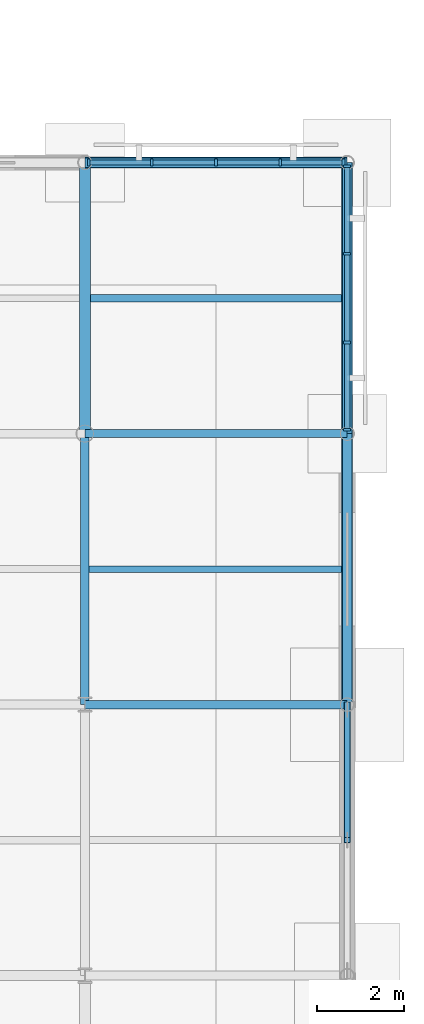
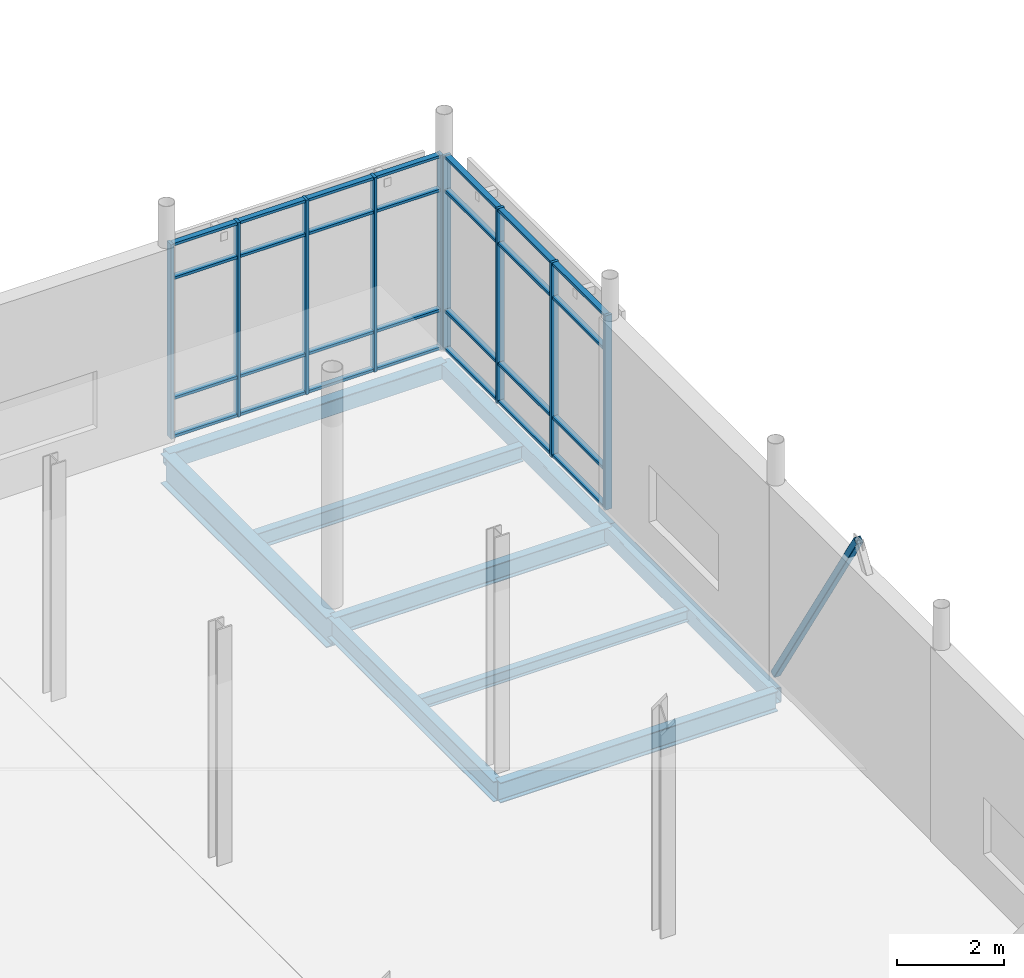
# One storey, part 56 of 98: 38 members, 9 beams, 2 elements without a shape of their own.
"""IFC4 building model written with IfcOpenShell, lengths in metres."""

import ifcopenshell
import ifcopenshell.guid

model = None  # the IFC model being written
_history = None  # IfcOwnerHistory: only IFC2X3 demands one
_inside = {}  # id of a spatial element -> (the spatial element, [elements in it])
_under = {}  # id of a project, library or spatial element -> (it, [spatial elements below it])
_declared = {}  # id of a project -> (the project, [libraries it declares])
_typed = {}  # id of a type object -> (the type object, [elements of that type])
_made_of = {}  # id of a material, layer set ... -> (it, [elements and type objects made of it])


def new_model(schema):
    """Start an empty IFC model of exactly this schema.

    Asked for "IFC4X3", IfcOpenShell would pick the latest addendum, in which some entities
    have other attributes; the version numbers below select the first issue.
    IFC2X3 requires an IfcOwnerHistory on every rooted entity: one is made here for all.
    """
    global model, _history
    if schema == "IFC4X3":
        model = ifcopenshell.file(schema_version=(4, 3, 0, 0))
    else:
        model = ifcopenshell.file(schema=schema)
    _inside.clear()
    _under.clear()
    _declared.clear()
    _typed.clear()
    _made_of.clear()
    _history = None
    if model.schema == "IFC2X3":
        org = make("IfcOrganization", Name="unknown")
        user = make(
            "IfcPersonAndOrganization",
            ThePerson=make("IfcPerson", FamilyName="unknown"),
            TheOrganization=org,
        )
        app = make(
            "IfcApplication",
            ApplicationDeveloper=org,
            Version="unknown",
            ApplicationFullName="unknown",
            ApplicationIdentifier="unknown",
        )
        _history = make(
            "IfcOwnerHistory",
            OwningUser=user,
            OwningApplication=app,
            ChangeAction="ADDED",
            CreationDate=0,
        )
    return model


def make(cls, **values):
    """One entity of the class cls with the attributes given. An attribute that is None is left unset."""
    return model.create_entity(
        cls, **{name: value for name, value in values.items() if value is not None}
    )


def rooted(cls, **values):
    """An entity with a GlobalId (a new one), such as an element, a storey or a relation."""
    return make(cls, GlobalId=ifcopenshell.guid.new(), OwnerHistory=_history, **values)


def si_unit(unit_type, name, prefix=None):
    """IfcSIUnit, for example si_unit("LENGTHUNIT", "METRE", prefix="MILLI")."""
    return make("IfcSIUnit", UnitType=unit_type, Prefix=prefix, Name=name)


def assignment(units):
    """IfcUnitAssignment: the units of a project."""
    return None if units is None else make("IfcUnitAssignment", Units=units)


def point(xyz):
    """IfcCartesianPoint."""
    return None if xyz is None else make("IfcCartesianPoint", Coordinates=xyz)


def direction(xyz):
    """IfcDirection."""
    return None if xyz is None else make("IfcDirection", DirectionRatios=xyz)


def frame(location, z_axis=None, x_axis=None):
    """IfcAxis2Placement3D, a coordinate frame: its origin and axes. An axis left out is left unset."""
    return make(
        "IfcAxis2Placement3D",
        Location=point(location),
        Axis=direction(z_axis),
        RefDirection=direction(x_axis),
    )


def frame_2d(location, x_axis=None):
    """IfcAxis2Placement2D, a coordinate frame in the plane: its origin and x axis."""
    return make(
        "IfcAxis2Placement2D", Location=point(location), RefDirection=direction(x_axis)
    )


def origin():
    """The frame at (0, 0, 0) with its axes left unset."""
    return frame((0.0, 0.0, 0.0))


def origin_2d():
    """The frame at (0, 0) in the plane with its x axis left unset."""
    return frame_2d((0.0, 0.0))


def place(relative_to, where):
    """IfcLocalPlacement: puts the frame where relative to a parent placement (None: the world)."""
    return make(
        "IfcLocalPlacement", PlacementRelTo=relative_to, RelativePlacement=where
    )


def context(
    kind, dimensions, precision=None, world=None, true_north=None, identifier=None
):
    """IfcGeometricRepresentationContext, for example the 3D "Model" context."""
    return make(
        "IfcGeometricRepresentationContext",
        ContextIdentifier=identifier,
        ContextType=kind,
        CoordinateSpaceDimension=dimensions,
        Precision=precision,
        WorldCoordinateSystem=world,
        TrueNorth=true_north,
    )


def subcontext(parent, identifier, kind, view, scale=None):
    """IfcGeometricRepresentationSubContext, for example "Body" below "Model"."""
    return make(
        "IfcGeometricRepresentationSubContext",
        ContextIdentifier=identifier,
        ContextType=kind,
        ParentContext=parent,
        TargetScale=scale,
        TargetView=view,
    )


def project(units=None, contexts=None):
    """IfcProject with its units and contexts."""
    return rooted(
        "IfcProject",
        Name="project",
        RepresentationContexts=contexts,
        UnitsInContext=assignment(units),
    )


def spatial(cls, under=None, at=None, **own):
    """A site, building, storey or space (cls), placed at a placement, below another one or the project."""
    s = rooted(cls, ObjectPlacement=at, **own)
    if under is not None:
        _under.setdefault(under.id(), (under, []))[1].append(s)
    return s


def profile(cls, at=None, kind="AREA", **sizes):
    """A parametric profile (cls). Its sizes go by their IFC names, for example OverallWidth=200.0."""
    return make(cls, ProfileType=kind, Position=at, **sizes)


def rectangle(**sizes):
    """IfcRectangleProfileDef."""
    return profile("IfcRectangleProfileDef", **sizes)


def hollow_rectangle(**sizes):
    """IfcRectangleHollowProfileDef."""
    return profile("IfcRectangleHollowProfileDef", **sizes)


def i_section(**sizes):
    """IfcIShapeProfileDef."""
    return profile("IfcIShapeProfileDef", **sizes)


def extrude(swept, where, along, depth):
    """IfcExtrudedAreaSolid: the profile swept, set in the frame where, extruded along a direction by depth."""
    return make(
        "IfcExtrudedAreaSolid",
        SweptArea=swept,
        Position=where,
        ExtrudedDirection=direction(along),
        Depth=depth,
    )


def shape(context_of_items, identifier, shape_type, items):
    """IfcShapeRepresentation: the items that make up one representation, for example the "Body"."""
    return make(
        "IfcShapeRepresentation",
        ContextOfItems=context_of_items,
        RepresentationIdentifier=identifier,
        RepresentationType=shape_type,
        Items=items,
    )


def material(Name=None, Category=None):
    """IfcMaterial."""
    return make("IfcMaterial", Name=Name, Category=Category)


def layer(
    of_material, thickness, ventilated=None, Name=None, Category=None, Priority=None
):
    """IfcMaterialLayer: one layer of a wall or slab, of a material (None: an air gap)."""
    return make(
        "IfcMaterialLayer",
        Material=of_material,
        LayerThickness=thickness,
        IsVentilated=ventilated,
        Name=Name,
        Category=Category,
        Priority=Priority,
    )


def layer_set(layers, Name=None):
    """IfcMaterialLayerSet."""
    return make("IfcMaterialLayerSet", MaterialLayers=layers, LayerSetName=Name)


def material_profile(
    of_material, cross_section, Name=None, Category=None, Priority=None
):
    """IfcMaterialProfile: a cross section and its material."""
    return make(
        "IfcMaterialProfile",
        Name=Name,
        Material=of_material,
        Profile=cross_section,
        Priority=Priority,
        Category=Category,
    )


def profile_set(profiles, Name=None, composite=None):
    """IfcMaterialProfileSet."""
    return make(
        "IfcMaterialProfileSet",
        Name=Name,
        MaterialProfiles=profiles,
        CompositeProfile=composite,
    )


def made_of(thing, what):
    """Note that an element or type object is made of a material, layer set ...; save() writes the relation."""
    if what is not None:
        _made_of.setdefault(what.id(), (what, []))[1].append(thing)
    return thing


def type_object(cls, material=None, **own):
    """A type object (cls), such as IfcWallType, which elements share."""
    return made_of(rooted(cls, **own), material)


def element(
    cls,
    number,
    at=None,
    inside=None,
    cuts=None,
    type_object=None,
    material=None,
    context=None,
    identifier="Body",
    shape_type=None,
    held_by="IfcProductDefinitionShape",
    body=None,
    shapes=None,
    **own,
):
    """One element of the class cls, such as IfcWall. Its Tag is "e" and its number.

    at: its placement. inside: the storey or other place that contains it. cuts: it is an
    opening in that element (IfcRelVoidsElement). A single representation is given by context,
    identifier, shape_type and body (its items); several are given by shapes. held_by: the class
    of the entity that holds the representations. save() writes the other relations.
    """
    e = rooted(cls, Tag="e%d" % number, ObjectPlacement=at, **own)
    if body is not None:
        shapes = [shape(context, identifier, shape_type, body)]
    if shapes is not None:
        e.Representation = make(held_by, Representations=shapes)
    if inside is not None:
        _inside.setdefault(inside.id(), (inside, []))[1].append(e)
    if cuts is not None:
        rooted(
            "IfcRelVoidsElement", RelatingBuildingElement=cuts, RelatedOpeningElement=e
        )
    if type_object is not None:
        _typed.setdefault(type_object.id(), (type_object, []))[1].append(e)
    return made_of(e, material)


def aggregate(whole, parts):
    """IfcRelAggregates: a whole, such as a stair, and the parts it consists of."""
    return rooted("IfcRelAggregates", RelatingObject=whole, RelatedObjects=parts)


def save(model, path):
    """Write the relations noted so far, then the file.

    IfcRelAggregates (storeys below a building ...), IfcRelContainedInSpatialStructure (elements
    in a storey), IfcRelDefinesByType, IfcRelAssociatesMaterial and IfcRelDeclares: one each for
    every whole, place, type object, material and project.
    """
    for whole, parts in _under.values():
        aggregate(whole, parts)
    for where, things in _inside.values():
        rooted(
            "IfcRelContainedInSpatialStructure",
            RelatedElements=things,
            RelatingStructure=where,
        )
    for kind, things in _typed.values():
        rooted("IfcRelDefinesByType", RelatedObjects=things, RelatingType=kind)
    for what, things in _made_of.values():
        rooted("IfcRelAssociatesMaterial", RelatedObjects=things, RelatingMaterial=what)
    for by, libraries in _declared.values():
        rooted("IfcRelDeclares", RelatingContext=by, RelatedDefinitions=libraries)
    model.write(path)


model = new_model("IFC4")

# Units and contexts
model_context = context("Model", 3, precision=1e-05, world=origin(), true_north=direction((0.0, 1.0)))
body_context = subcontext(model_context, "Body", "Model", "MODEL_VIEW")
ifc_project = project(units=[si_unit("LENGTHUNIT", "METRE"), si_unit("AREAUNIT", "SQUARE_METRE"), si_unit("VOLUMEUNIT", "CUBIC_METRE"), si_unit("PLANEANGLEUNIT", "RADIAN"), si_unit("MASSUNIT", "GRAM", prefix="KILO")], contexts=[model_context])

# Site, building, storey
site_placement = place(None, origin())
site = spatial("IfcSite", under=ifc_project, at=site_placement, CompositionType="ELEMENT")
building_placement = place(site_placement, origin())
building = spatial("IfcBuilding", under=site, at=building_placement, Name="Mirzam Square Science Centre", CompositionType="ELEMENT")
storey_placement = place(building_placement, origin())
storey = spatial("IfcBuildingStorey", under=building, at=storey_placement, Name="L00", CompositionType="ELEMENT", Elevation=0.0)

# Beams
ifc_material_1 = material(Name="Steel S355", Category="steel")
ifc_material_profile_1 = material_profile(ifc_material_1, i_section(OverallWidth=0.1787109375, OverallDepth=0.409423828125, WebThickness=0.0087890625, FlangeThickness=0.014404296875, FilletRadius=0.01025390625, at=origin_2d()), Name="406x178x67UB")
ifc_profile_set_1 = profile_set([ifc_material_profile_1], Name="Steel S355")
beam_type_1 = type_object("IfcBeamType", Name="BM-UB406", PredefinedType="BEAM", material=ifc_profile_set_1)
beam_1_placement = place(storey_placement, frame((156.0, 80.60009765625, -0.504638671875), z_axis=(1.0, 0.0, 0.0), x_axis=(0.0, 1.0, 0.0)))
element("IfcBeam", 1, at=beam_1_placement, inside=storey, type_object=beam_type_1, Name="L00 girder X27-14", PredefinedType="BEAM", context=body_context, shape_type="SweptSolid", body=[
    extrude(i_section(OverallWidth=0.1787109375, OverallDepth=0.409423828125, WebThickness=0.0087890625, FlangeThickness=0.014404296875, FilletRadius=0.01025390625, at=origin_2d()), origin(), (0.0, 0.0, 1.0), 6.0),
])
ifc_material_profile_2 = material_profile(ifc_material_1, i_section(OverallWidth=0.19140625, OverallDepth=0.4599609375, WebThickness=0.010009765625, FlangeThickness=0.01611328125, FilletRadius=0.01025390625, at=origin_2d()), Name="457x191x82UB")
ifc_profile_set_2 = profile_set([ifc_material_profile_2], Name="Steel S355")
beam_type_2 = type_object("IfcBeamType", Name="BM-UB457", PredefinedType="BEAM", material=ifc_profile_set_2)
beam_2_placement = place(storey_placement, frame((156.0, 74.39990234375, -0.530029296875), z_axis=(1.0, 0.0, 0.0), x_axis=(0.0, 1.0, 0.0)))
element("IfcBeam", 2, at=beam_2_placement, inside=storey, type_object=beam_type_2, Name="L00 girder X27-13", PredefinedType="BEAM", context=body_context, shape_type="SweptSolid", body=[
    extrude(i_section(OverallWidth=0.19140625, OverallDepth=0.4599609375, WebThickness=0.010009765625, FlangeThickness=0.01611328125, FilletRadius=0.01025390625, at=origin_2d()), origin(), (0.0, 0.0, 1.0), 6.0),
])
beam_3_placement = place(storey_placement, frame((156.0, 74.39990234375, -0.530029296875), z_axis=(0.0, 1.0, 0.0), x_axis=(-1.0, 0.0, 0.0)))
element("IfcBeam", 3, at=beam_3_placement, inside=storey, type_object=beam_type_2, Name="L00 girder Y27-13", PredefinedType="BEAM", context=body_context, shape_type="SweptSolid", body=[
    extrude(i_section(OverallWidth=0.19140625, OverallDepth=0.4599609375, WebThickness=0.010009765625, FlangeThickness=0.01611328125, FilletRadius=0.01025390625, at=origin_2d()), origin(), (0.0, 0.0, 1.0), 6.2001953125),
])
ifc_material_profile_3 = material_profile(ifc_material_1, i_section(OverallWidth=0.25439453125, OverallDepth=0.6875, WebThickness=0.01318359375, FlangeThickness=0.02099609375, FilletRadius=0.01513671875, at=origin_2d()), Name="686x254x152UB")
ifc_profile_set_3 = profile_set([ifc_material_profile_3], Name="Steel S355")
beam_type_3 = type_object("IfcBeamType", Name="BM-UB686", PredefinedType="BEAM", material=ifc_profile_set_3)
beam_4_placement = place(storey_placement, frame((156.0, 80.60009765625, -0.643798828125), z_axis=(0.0, 1.0, 0.0), x_axis=(-1.0, 0.0, 0.0)))
element("IfcBeam", 4, at=beam_4_placement, inside=storey, type_object=beam_type_3, Name="L00 girder Y27-14", PredefinedType="BEAM", context=body_context, shape_type="SweptSolid", body=[
    extrude(i_section(OverallWidth=0.25439453125, OverallDepth=0.6875, WebThickness=0.01318359375, FlangeThickness=0.02099609375, FilletRadius=0.01513671875, at=origin_2d()), origin(), (0.0, 0.0, 1.0), 6.199951171875),
])

# Member
ifc_material_profile_4 = material_profile(ifc_material_1, hollow_rectangle(XDim=0.14990234375, YDim=0.14990234375, WallThickness=0.008056640625, InnerFilletRadius=0.008056640625, OuterFilletRadius=0.01611328125, at=origin_2d()), Name="150x150x8.0SHS")
ifc_profile_set_4 = profile_set([ifc_material_profile_4], Name="Steel S355")
member_type_1 = type_object("IfcMemberType", Name="BR-SHS150", PredefinedType="BRACE", material=ifc_profile_set_4)
member_1_placement = place(storey_placement, frame((162.0, 74.39990234375, 0.050048828125), z_axis=(0.0, -0.532677513074, 0.846318301271), x_axis=(1.0, 0.0, 0.0)))
element("IfcMember", 5, at=member_1_placement, inside=storey, type_object=member_type_1, Name="L00 chevron brace 5B", PredefinedType="BRACE", context=body_context, shape_type="SweptSolid", body=[
    extrude(hollow_rectangle(XDim=0.14990234375, YDim=0.14990234375, WallThickness=0.008056640625, InnerFilletRadius=0.008056640625, OuterFilletRadius=0.01611328125, at=origin_2d()), origin(), (0.0, 0.0, 1.0), 5.8193359375),
])

# Curtain wall, members
ifc_material_2 = material(Name="Anodised Aluminium and Low-E Solar Glass", Category="aluminium")
ifc_layer_1 = layer(ifc_material_2, 0.199951171875)
ifc_layer_set_1 = layer_set([ifc_layer_1], Name="CW-PARK-B")
curtain_wall_type_1 = type_object("IfcCurtainWallType", Name="CW-PARK-B", PredefinedType="USERDEFINED", material=ifc_layer_set_1)
curtain_wall_1_placement = place(storey_placement, origin())
curtain_wall_1 = element("IfcCurtainWall", 6, at=curtain_wall_1_placement, inside=storey, type_object=curtain_wall_type_1, Name="L00 unitised curtain wall 68", ObjectType="UNITISED CURTAIN WALL", PredefinedType="USERDEFINED")
ifc_material_3 = material(Name="Anodised Architectural Aluminium 6063-T6", Category="aluminium")
ifc_material_profile_5 = material_profile(ifc_material_3, rectangle(XDim=0.06005859375, YDim=0.159912109375, at=origin_2d()), Name="ALU-MULL-160x60x4")
ifc_profile_set_5 = profile_set([ifc_material_profile_5], Name="Anodised Architectural Aluminium 6063-T6")
member_type_2 = type_object("IfcMemberType", Name="CWM-160", PredefinedType="MULLION", material=ifc_profile_set_5)
member_2_placement = place(storey_placement, frame((162.0, 80.68505859375, 0.0), z_axis=(0.0, 0.0, 1.0), x_axis=(0.0, 1.0, 0.0)))
member_2 = element("IfcMember", 7, at=member_2_placement, type_object=member_type_2, Name="CW-02 mullion 1", PredefinedType="MULLION", context=body_context, shape_type="SweptSolid", body=[
    extrude(rectangle(XDim=0.06005859375, YDim=0.159912109375, at=origin_2d()), origin(), (0.0, 0.0, 1.0), 4.43994140625),
])
member_3_placement = place(storey_placement, frame((162.0, 82.68505859375, 0.0), z_axis=(0.0, 0.0, 1.0), x_axis=(0.0, 1.0, 0.0)))
member_3 = element("IfcMember", 8, at=member_3_placement, type_object=member_type_2, Name="CW-02 mullion 2", PredefinedType="MULLION", context=body_context, shape_type="SweptSolid", body=[
    extrude(rectangle(XDim=0.06005859375, YDim=0.159912109375, at=origin_2d()), origin(), (0.0, 0.0, 1.0), 4.43994140625),
])
member_4_placement = place(storey_placement, frame((162.0, 84.715087890625, 0.0), z_axis=(0.0, 0.0, 1.0), x_axis=(0.0, 1.0, 0.0)))
member_4 = element("IfcMember", 9, at=member_4_placement, type_object=member_type_2, Name="CW-02 mullion 3", PredefinedType="MULLION", context=body_context, shape_type="SweptSolid", body=[
    extrude(rectangle(XDim=0.06005859375, YDim=0.159912109375, at=origin_2d()), origin(), (0.0, 0.0, 1.0), 4.43994140625),
])
member_5_placement = place(storey_placement, frame((162.0, 86.715087890625, 0.0), z_axis=(0.0, 0.0, 1.0), x_axis=(0.0, 1.0, 0.0)))
member_5 = element("IfcMember", 10, at=member_5_placement, type_object=member_type_2, Name="CW-02 mullion 4", PredefinedType="MULLION", context=body_context, shape_type="SweptSolid", body=[
    extrude(rectangle(XDim=0.06005859375, YDim=0.159912109375, at=origin_2d()), origin(), (0.0, 0.0, 1.0), 4.43994140625),
])

ifc_layer_2 = layer(ifc_material_2, 0.159912109375)
ifc_layer_set_2 = layer_set([ifc_layer_2], Name="CW-COURT-B")
curtain_wall_type_2 = type_object("IfcCurtainWallType", Name="CW-COURT-B", PredefinedType="USERDEFINED", material=ifc_layer_set_2)
curtain_wall_2_placement = place(storey_placement, origin())
curtain_wall_2 = element("IfcCurtainWall", 11, at=curtain_wall_2_placement, inside=storey, type_object=curtain_wall_type_2, Name="L00 unitised curtain wall 69", ObjectType="UNITISED CURTAIN WALL", PredefinedType="USERDEFINED")
member_6_placement = place(storey_placement, frame((161.9150390625, 86.800048828125, 0.0), z_axis=(0.0, 0.0, 1.0), x_axis=(-1.0, 0.0, 0.0)))
member_6 = element("IfcMember", 12, at=member_6_placement, type_object=member_type_2, Name="CW-04 mullion 1", PredefinedType="MULLION", context=body_context, shape_type="SweptSolid", body=[
    extrude(rectangle(XDim=0.06005859375, YDim=0.159912109375, at=origin_2d()), origin(), (0.0, 0.0, 1.0), 4.43994140625),
])
member_7_placement = place(storey_placement, frame((160.472412109375, 86.800048828125, 0.0), z_axis=(0.0, 0.0, 1.0), x_axis=(-1.0, 0.0, 0.0)))
member_7 = element("IfcMember", 13, at=member_7_placement, type_object=member_type_2, Name="CW-04 mullion 2", PredefinedType="MULLION", context=body_context, shape_type="SweptSolid", body=[
    extrude(rectangle(XDim=0.06005859375, YDim=0.159912109375, at=origin_2d()), origin(), (0.0, 0.0, 1.0), 4.43994140625),
])
member_8_placement = place(storey_placement, frame((159.0, 86.800048828125, 0.0), z_axis=(0.0, 0.0, 1.0), x_axis=(-1.0, 0.0, 0.0)))
member_8 = element("IfcMember", 14, at=member_8_placement, type_object=member_type_2, Name="CW-04 mullion 3", PredefinedType="MULLION", context=body_context, shape_type="SweptSolid", body=[
    extrude(rectangle(XDim=0.06005859375, YDim=0.159912109375, at=origin_2d()), origin(), (0.0, 0.0, 1.0), 4.43994140625),
])
member_9_placement = place(storey_placement, frame((157.527587890625, 86.800048828125, 0.0), z_axis=(0.0, 0.0, 1.0), x_axis=(-1.0, 0.0, 0.0)))
member_9 = element("IfcMember", 15, at=member_9_placement, type_object=member_type_2, Name="CW-04 mullion 4", PredefinedType="MULLION", context=body_context, shape_type="SweptSolid", body=[
    extrude(rectangle(XDim=0.06005859375, YDim=0.159912109375, at=origin_2d()), origin(), (0.0, 0.0, 1.0), 4.43994140625),
])
member_10_placement = place(storey_placement, frame((156.0849609375, 86.800048828125, 0.0), z_axis=(0.0, 0.0, 1.0), x_axis=(-1.0, 0.0, 0.0)))
member_10 = element("IfcMember", 16, at=member_10_placement, type_object=member_type_2, Name="CW-04 mullion 5", PredefinedType="MULLION", context=body_context, shape_type="SweptSolid", body=[
    extrude(rectangle(XDim=0.06005859375, YDim=0.159912109375, at=origin_2d()), origin(), (0.0, 0.0, 1.0), 4.43994140625),
])

# Member
ifc_material_profile_6 = material_profile(ifc_material_3, rectangle(XDim=0.1201171875, YDim=0.06005859375, at=origin_2d()), Name="ALU-TRAN-120x60x4")
ifc_profile_set_6 = profile_set([ifc_material_profile_6], Name="Anodised Architectural Aluminium 6063-T6")
member_type_3 = type_object("IfcMemberType", Name="CWT-120", PredefinedType="USERDEFINED", material=ifc_profile_set_6)
member_11_placement = place(storey_placement, frame((162.0, 80.715087890625, 0.030029296875), z_axis=(0.0, 1.0, 0.0), x_axis=(-1.0, 0.0, 0.0)))
member_11 = element("IfcMember", 17, at=member_11_placement, type_object=member_type_3, Name="CW-02 transom 1.1", ObjectType="TRANSOM", PredefinedType="USERDEFINED", context=body_context, shape_type="SweptSolid", body=[
    extrude(rectangle(XDim=0.1201171875, YDim=0.06005859375, at=origin_2d()), origin(), (0.0, 0.0, 1.0), 1.93994140625),
])

member_12_placement = place(storey_placement, frame((162.0, 80.715087890625, 0.89990234375), z_axis=(0.0, 1.0, 0.0), x_axis=(-1.0, 0.0, 0.0)))
member_12 = element("IfcMember", 18, at=member_12_placement, type_object=member_type_3, Name="CW-02 transom 1.2", ObjectType="TRANSOM", PredefinedType="USERDEFINED", context=body_context, shape_type="SweptSolid", body=[
    extrude(rectangle(XDim=0.1201171875, YDim=0.06005859375, at=origin_2d()), origin(), (0.0, 0.0, 1.0), 1.93994140625),
])

member_13_placement = place(storey_placement, frame((162.0, 80.715087890625, 3.639892578125), z_axis=(0.0, 1.0, 0.0), x_axis=(-1.0, 0.0, 0.0)))
member_13 = element("IfcMember", 19, at=member_13_placement, type_object=member_type_3, Name="CW-02 transom 1.3", ObjectType="TRANSOM", PredefinedType="USERDEFINED", context=body_context, shape_type="SweptSolid", body=[
    extrude(rectangle(XDim=0.1201171875, YDim=0.06005859375, at=origin_2d()), origin(), (0.0, 0.0, 1.0), 1.93994140625),
])

member_14_placement = place(storey_placement, frame((162.0, 80.715087890625, 4.409912109375), z_axis=(0.0, 1.0, 0.0), x_axis=(-1.0, 0.0, 0.0)))
member_14 = element("IfcMember", 20, at=member_14_placement, type_object=member_type_3, Name="CW-02 transom 1.4", ObjectType="TRANSOM", PredefinedType="USERDEFINED", context=body_context, shape_type="SweptSolid", body=[
    extrude(rectangle(XDim=0.1201171875, YDim=0.06005859375, at=origin_2d()), origin(), (0.0, 0.0, 1.0), 1.93994140625),
])

member_15_placement = place(storey_placement, frame((162.0, 82.715087890625, 0.030029296875), z_axis=(0.0, 1.0, 0.0), x_axis=(-1.0, 0.0, 0.0)))
member_15 = element("IfcMember", 21, at=member_15_placement, type_object=member_type_3, Name="CW-02 transom 2.1", ObjectType="TRANSOM", PredefinedType="USERDEFINED", context=body_context, shape_type="SweptSolid", body=[
    extrude(rectangle(XDim=0.1201171875, YDim=0.06005859375, at=origin_2d()), origin(), (0.0, 0.0, 1.0), 1.969970703125),
])

member_16_placement = place(storey_placement, frame((162.0, 82.715087890625, 0.89990234375), z_axis=(0.0, 1.0, 0.0), x_axis=(-1.0, 0.0, 0.0)))
member_16 = element("IfcMember", 22, at=member_16_placement, type_object=member_type_3, Name="CW-02 transom 2.2", ObjectType="TRANSOM", PredefinedType="USERDEFINED", context=body_context, shape_type="SweptSolid", body=[
    extrude(rectangle(XDim=0.1201171875, YDim=0.06005859375, at=origin_2d()), origin(), (0.0, 0.0, 1.0), 1.969970703125),
])

member_17_placement = place(storey_placement, frame((162.0, 82.715087890625, 3.639892578125), z_axis=(0.0, 1.0, 0.0), x_axis=(-1.0, 0.0, 0.0)))
member_17 = element("IfcMember", 23, at=member_17_placement, type_object=member_type_3, Name="CW-02 transom 2.3", ObjectType="TRANSOM", PredefinedType="USERDEFINED", context=body_context, shape_type="SweptSolid", body=[
    extrude(rectangle(XDim=0.1201171875, YDim=0.06005859375, at=origin_2d()), origin(), (0.0, 0.0, 1.0), 1.969970703125),
])

member_18_placement = place(storey_placement, frame((162.0, 82.715087890625, 4.409912109375), z_axis=(0.0, 1.0, 0.0), x_axis=(-1.0, 0.0, 0.0)))
member_18 = element("IfcMember", 24, at=member_18_placement, type_object=member_type_3, Name="CW-02 transom 2.4", ObjectType="TRANSOM", PredefinedType="USERDEFINED", context=body_context, shape_type="SweptSolid", body=[
    extrude(rectangle(XDim=0.1201171875, YDim=0.06005859375, at=origin_2d()), origin(), (0.0, 0.0, 1.0), 1.969970703125),
])

member_19_placement = place(storey_placement, frame((162.0, 84.7451171875, 0.030029296875), z_axis=(0.0, 1.0, 0.0), x_axis=(-1.0, 0.0, 0.0)))
member_19 = element("IfcMember", 25, at=member_19_placement, type_object=member_type_3, Name="CW-02 transom 3.1", ObjectType="TRANSOM", PredefinedType="USERDEFINED", context=body_context, shape_type="SweptSolid", body=[
    extrude(rectangle(XDim=0.1201171875, YDim=0.06005859375, at=origin_2d()), origin(), (0.0, 0.0, 1.0), 1.93994140625),
])

member_20_placement = place(storey_placement, frame((162.0, 84.7451171875, 0.89990234375), z_axis=(0.0, 1.0, 0.0), x_axis=(-1.0, 0.0, 0.0)))
member_20 = element("IfcMember", 26, at=member_20_placement, type_object=member_type_3, Name="CW-02 transom 3.2", ObjectType="TRANSOM", PredefinedType="USERDEFINED", context=body_context, shape_type="SweptSolid", body=[
    extrude(rectangle(XDim=0.1201171875, YDim=0.06005859375, at=origin_2d()), origin(), (0.0, 0.0, 1.0), 1.93994140625),
])

member_21_placement = place(storey_placement, frame((162.0, 84.7451171875, 3.639892578125), z_axis=(0.0, 1.0, 0.0), x_axis=(-1.0, 0.0, 0.0)))
member_21 = element("IfcMember", 27, at=member_21_placement, type_object=member_type_3, Name="CW-02 transom 3.3", ObjectType="TRANSOM", PredefinedType="USERDEFINED", context=body_context, shape_type="SweptSolid", body=[
    extrude(rectangle(XDim=0.1201171875, YDim=0.06005859375, at=origin_2d()), origin(), (0.0, 0.0, 1.0), 1.93994140625),
])

member_22_placement = place(storey_placement, frame((162.0, 84.7451171875, 4.409912109375), z_axis=(0.0, 1.0, 0.0), x_axis=(-1.0, 0.0, 0.0)))
member_22 = element("IfcMember", 28, at=member_22_placement, type_object=member_type_3, Name="CW-02 transom 3.4", ObjectType="TRANSOM", PredefinedType="USERDEFINED", context=body_context, shape_type="SweptSolid", body=[
    extrude(rectangle(XDim=0.1201171875, YDim=0.06005859375, at=origin_2d()), origin(), (0.0, 0.0, 1.0), 1.93994140625),
])

aggregate(curtain_wall_1, [member_2, member_3, member_4, member_5, member_11, member_12, member_13, member_14, member_15, member_16, member_17, member_18, member_19, member_20, member_21, member_22])

member_23_placement = place(storey_placement, frame((161.885009765625, 86.800048828125, 0.030029296875), z_axis=(-1.0, 0.0, 0.0), x_axis=(0.0, -1.0, 0.0)))
member_23 = element("IfcMember", 29, at=member_23_placement, type_object=member_type_3, Name="CW-04 transom 1.1", ObjectType="TRANSOM", PredefinedType="USERDEFINED", context=body_context, shape_type="SweptSolid", body=[
    extrude(rectangle(XDim=0.1201171875, YDim=0.06005859375, at=origin_2d()), origin(), (0.0, 0.0, 1.0), 1.382568359375),
])

member_24_placement = place(storey_placement, frame((161.885009765625, 86.800048828125, 0.89990234375), z_axis=(-1.0, 0.0, 0.0), x_axis=(0.0, -1.0, 0.0)))
member_24 = element("IfcMember", 30, at=member_24_placement, type_object=member_type_3, Name="CW-04 transom 1.2", ObjectType="TRANSOM", PredefinedType="USERDEFINED", context=body_context, shape_type="SweptSolid", body=[
    extrude(rectangle(XDim=0.1201171875, YDim=0.06005859375, at=origin_2d()), origin(), (0.0, 0.0, 1.0), 1.382568359375),
])

member_25_placement = place(storey_placement, frame((161.885009765625, 86.800048828125, 3.639892578125), z_axis=(-1.0, 0.0, 0.0), x_axis=(0.0, -1.0, 0.0)))
member_25 = element("IfcMember", 31, at=member_25_placement, type_object=member_type_3, Name="CW-04 transom 1.3", ObjectType="TRANSOM", PredefinedType="USERDEFINED", context=body_context, shape_type="SweptSolid", body=[
    extrude(rectangle(XDim=0.1201171875, YDim=0.06005859375, at=origin_2d()), origin(), (0.0, 0.0, 1.0), 1.382568359375),
])

member_26_placement = place(storey_placement, frame((161.885009765625, 86.800048828125, 4.409912109375), z_axis=(-1.0, 0.0, 0.0), x_axis=(0.0, -1.0, 0.0)))
member_26 = element("IfcMember", 32, at=member_26_placement, type_object=member_type_3, Name="CW-04 transom 1.4", ObjectType="TRANSOM", PredefinedType="USERDEFINED", context=body_context, shape_type="SweptSolid", body=[
    extrude(rectangle(XDim=0.1201171875, YDim=0.06005859375, at=origin_2d()), origin(), (0.0, 0.0, 1.0), 1.382568359375),
])

member_27_placement = place(storey_placement, frame((160.4423828125, 86.800048828125, 0.030029296875), z_axis=(-1.0, 0.0, 0.0), x_axis=(0.0, -1.0, 0.0)))
member_27 = element("IfcMember", 33, at=member_27_placement, type_object=member_type_3, Name="CW-04 transom 2.1", ObjectType="TRANSOM", PredefinedType="USERDEFINED", context=body_context, shape_type="SweptSolid", body=[
    extrude(rectangle(XDim=0.1201171875, YDim=0.06005859375, at=origin_2d()), origin(), (0.0, 0.0, 1.0), 1.412353515625),
])

member_28_placement = place(storey_placement, frame((160.4423828125, 86.800048828125, 0.89990234375), z_axis=(-1.0, 0.0, 0.0), x_axis=(0.0, -1.0, 0.0)))
member_28 = element("IfcMember", 34, at=member_28_placement, type_object=member_type_3, Name="CW-04 transom 2.2", ObjectType="TRANSOM", PredefinedType="USERDEFINED", context=body_context, shape_type="SweptSolid", body=[
    extrude(rectangle(XDim=0.1201171875, YDim=0.06005859375, at=origin_2d()), origin(), (0.0, 0.0, 1.0), 1.412353515625),
])

member_29_placement = place(storey_placement, frame((160.4423828125, 86.800048828125, 3.639892578125), z_axis=(-1.0, 0.0, 0.0), x_axis=(0.0, -1.0, 0.0)))
member_29 = element("IfcMember", 35, at=member_29_placement, type_object=member_type_3, Name="CW-04 transom 2.3", ObjectType="TRANSOM", PredefinedType="USERDEFINED", context=body_context, shape_type="SweptSolid", body=[
    extrude(rectangle(XDim=0.1201171875, YDim=0.06005859375, at=origin_2d()), origin(), (0.0, 0.0, 1.0), 1.412353515625),
])

member_30_placement = place(storey_placement, frame((160.4423828125, 86.800048828125, 4.409912109375), z_axis=(-1.0, 0.0, 0.0), x_axis=(0.0, -1.0, 0.0)))
member_30 = element("IfcMember", 36, at=member_30_placement, type_object=member_type_3, Name="CW-04 transom 2.4", ObjectType="TRANSOM", PredefinedType="USERDEFINED", context=body_context, shape_type="SweptSolid", body=[
    extrude(rectangle(XDim=0.1201171875, YDim=0.06005859375, at=origin_2d()), origin(), (0.0, 0.0, 1.0), 1.412353515625),
])

member_31_placement = place(storey_placement, frame((158.969970703125, 86.800048828125, 0.030029296875), z_axis=(-1.0, 0.0, 0.0), x_axis=(0.0, -1.0, 0.0)))
member_31 = element("IfcMember", 37, at=member_31_placement, type_object=member_type_3, Name="CW-04 transom 3.1", ObjectType="TRANSOM", PredefinedType="USERDEFINED", context=body_context, shape_type="SweptSolid", body=[
    extrude(rectangle(XDim=0.1201171875, YDim=0.06005859375, at=origin_2d()), origin(), (0.0, 0.0, 1.0), 1.412353515625),
])

member_32_placement = place(storey_placement, frame((158.969970703125, 86.800048828125, 0.89990234375), z_axis=(-1.0, 0.0, 0.0), x_axis=(0.0, -1.0, 0.0)))
member_32 = element("IfcMember", 38, at=member_32_placement, type_object=member_type_3, Name="CW-04 transom 3.2", ObjectType="TRANSOM", PredefinedType="USERDEFINED", context=body_context, shape_type="SweptSolid", body=[
    extrude(rectangle(XDim=0.1201171875, YDim=0.06005859375, at=origin_2d()), origin(), (0.0, 0.0, 1.0), 1.412353515625),
])

member_33_placement = place(storey_placement, frame((158.969970703125, 86.800048828125, 3.639892578125), z_axis=(-1.0, 0.0, 0.0), x_axis=(0.0, -1.0, 0.0)))
member_33 = element("IfcMember", 39, at=member_33_placement, type_object=member_type_3, Name="CW-04 transom 3.3", ObjectType="TRANSOM", PredefinedType="USERDEFINED", context=body_context, shape_type="SweptSolid", body=[
    extrude(rectangle(XDim=0.1201171875, YDim=0.06005859375, at=origin_2d()), origin(), (0.0, 0.0, 1.0), 1.412353515625),
])

member_34_placement = place(storey_placement, frame((158.969970703125, 86.800048828125, 4.409912109375), z_axis=(-1.0, 0.0, 0.0), x_axis=(0.0, -1.0, 0.0)))
member_34 = element("IfcMember", 40, at=member_34_placement, type_object=member_type_3, Name="CW-04 transom 3.4", ObjectType="TRANSOM", PredefinedType="USERDEFINED", context=body_context, shape_type="SweptSolid", body=[
    extrude(rectangle(XDim=0.1201171875, YDim=0.06005859375, at=origin_2d()), origin(), (0.0, 0.0, 1.0), 1.412353515625),
])

member_35_placement = place(storey_placement, frame((157.49755859375, 86.800048828125, 0.030029296875), z_axis=(-1.0, 0.0, 0.0), x_axis=(0.0, -1.0, 0.0)))
member_35 = element("IfcMember", 41, at=member_35_placement, type_object=member_type_3, Name="CW-04 transom 4.1", ObjectType="TRANSOM", PredefinedType="USERDEFINED", context=body_context, shape_type="SweptSolid", body=[
    extrude(rectangle(XDim=0.1201171875, YDim=0.06005859375, at=origin_2d()), origin(), (0.0, 0.0, 1.0), 1.382568359375),
])

member_36_placement = place(storey_placement, frame((157.49755859375, 86.800048828125, 0.89990234375), z_axis=(-1.0, 0.0, 0.0), x_axis=(0.0, -1.0, 0.0)))
member_36 = element("IfcMember", 42, at=member_36_placement, type_object=member_type_3, Name="CW-04 transom 4.2", ObjectType="TRANSOM", PredefinedType="USERDEFINED", context=body_context, shape_type="SweptSolid", body=[
    extrude(rectangle(XDim=0.1201171875, YDim=0.06005859375, at=origin_2d()), origin(), (0.0, 0.0, 1.0), 1.382568359375),
])

member_37_placement = place(storey_placement, frame((157.49755859375, 86.800048828125, 3.639892578125), z_axis=(-1.0, 0.0, 0.0), x_axis=(0.0, -1.0, 0.0)))
member_37 = element("IfcMember", 43, at=member_37_placement, type_object=member_type_3, Name="CW-04 transom 4.3", ObjectType="TRANSOM", PredefinedType="USERDEFINED", context=body_context, shape_type="SweptSolid", body=[
    extrude(rectangle(XDim=0.1201171875, YDim=0.06005859375, at=origin_2d()), origin(), (0.0, 0.0, 1.0), 1.382568359375),
])

member_38_placement = place(storey_placement, frame((157.49755859375, 86.800048828125, 4.409912109375), z_axis=(-1.0, 0.0, 0.0), x_axis=(0.0, -1.0, 0.0)))
member_38 = element("IfcMember", 44, at=member_38_placement, type_object=member_type_3, Name="CW-04 transom 4.4", ObjectType="TRANSOM", PredefinedType="USERDEFINED", context=body_context, shape_type="SweptSolid", body=[
    extrude(rectangle(XDim=0.1201171875, YDim=0.06005859375, at=origin_2d()), origin(), (0.0, 0.0, 1.0), 1.382568359375),
])

aggregate(curtain_wall_2, [member_6, member_7, member_8, member_9, member_10, member_23, member_24, member_25, member_26, member_27, member_28, member_29, member_30, member_31, member_32, member_33, member_34, member_35, member_36, member_37, member_38])

# Beams
ifc_material_profile_7 = material_profile(ifc_material_1, i_section(OverallWidth=0.146484375, OverallDepth=0.256103515625, WebThickness=0.00634765625, FlangeThickness=0.010986328125, FilletRadius=0.007568359375, at=origin_2d()), Name="254x146x37UB")
ifc_profile_set_7 = profile_set([ifc_material_profile_7], Name="Steel S355")
beam_type_4 = type_object("IfcBeamType", Name="JS-UB254", PredefinedType="JOIST", material=ifc_profile_set_7)
beam_5_placement = place(storey_placement, frame((156.095703125, 77.5, -0.427978515625), z_axis=(1.0, 0.0, 0.0), x_axis=(0.0, 1.0, 0.0)))
element("IfcBeam", 45, at=beam_5_placement, inside=storey, type_object=beam_type_4, Name="L00 composite joist 27-13", PredefinedType="JOIST", context=body_context, shape_type="SweptSolid", body=[
    extrude(i_section(OverallWidth=0.146484375, OverallDepth=0.256103515625, WebThickness=0.00634765625, FlangeThickness=0.010986328125, FilletRadius=0.007568359375, at=origin_2d()), origin(), (0.0, 0.0, 1.0), 5.779296875),
])
ifc_material_profile_8 = material_profile(ifc_material_1, i_section(OverallWidth=0.172119140625, OverallDepth=0.35791015625, WebThickness=0.008056640625, FlangeThickness=0.012939453125, FilletRadius=0.01025390625, at=origin_2d()), Name="356x171x57UB")
ifc_profile_set_8 = profile_set([ifc_material_profile_8], Name="Steel S355")
beam_type_5 = type_object("IfcBeamType", Name="JS-UB356", PredefinedType="JOIST", material=ifc_profile_set_8)
beam_6_placement = place(storey_placement, frame((156.127197265625, 83.699951171875, -0.47900390625), z_axis=(1.0, 0.0, 0.0), x_axis=(0.0, 1.0, 0.0)))
element("IfcBeam", 46, at=beam_6_placement, inside=storey, type_object=beam_type_5, Name="L00 composite joist 27-14", PredefinedType="JOIST", context=body_context, shape_type="SweptSolid", body=[
    extrude(i_section(OverallWidth=0.172119140625, OverallDepth=0.35791015625, WebThickness=0.008056640625, FlangeThickness=0.012939453125, FilletRadius=0.01025390625, at=origin_2d()), origin(), (0.0, 0.0, 1.0), 5.747802734375),
])
ifc_material_profile_9 = material_profile(ifc_material_1, hollow_rectangle(XDim=0.25, YDim=0.35009765625, WallThickness=0.012451171875, InnerFilletRadius=0.012451171875, OuterFilletRadius=0.02490234375, at=origin_2d()), Name="350x250x12.5RHS")
ifc_profile_set_9 = profile_set([ifc_material_profile_9], Name="Steel S355")
beam_type_6 = type_object("IfcBeamType", Name="SP-RHS350", PredefinedType="SPANDREL", material=ifc_profile_set_9)
beam_7_placement = place(storey_placement, frame((156.0, 86.800048828125, -0.47509765625), z_axis=(1.0, 0.0, 0.0), x_axis=(0.0, 1.0, 0.0)))
element("IfcBeam", 47, at=beam_7_placement, inside=storey, type_object=beam_type_6, Name="L00 girder X27-15", PredefinedType="SPANDREL", context=body_context, shape_type="SweptSolid", body=[
    extrude(hollow_rectangle(XDim=0.25, YDim=0.35009765625, WallThickness=0.012451171875, InnerFilletRadius=0.012451171875, OuterFilletRadius=0.02490234375, at=origin_2d()), origin(), (0.0, 0.0, 1.0), 6.0),
])
beam_8_placement = place(storey_placement, frame((162.0, 74.39990234375, -0.47509765625), z_axis=(0.0, 1.0, 0.0), x_axis=(-1.0, 0.0, 0.0)))
element("IfcBeam", 48, at=beam_8_placement, inside=storey, type_object=beam_type_6, Name="L00 girder Y28-13", PredefinedType="SPANDREL", context=body_context, shape_type="SweptSolid", body=[
    extrude(hollow_rectangle(XDim=0.25, YDim=0.35009765625, WallThickness=0.012451171875, InnerFilletRadius=0.012451171875, OuterFilletRadius=0.02490234375, at=origin_2d()), origin(), (0.0, 0.0, 1.0), 6.2001953125),
])
beam_9_placement = place(storey_placement, frame((162.0, 80.60009765625, -0.47509765625), z_axis=(0.0, 1.0, 0.0), x_axis=(-1.0, 0.0, 0.0)))
element("IfcBeam", 49, at=beam_9_placement, inside=storey, type_object=beam_type_6, Name="L00 girder Y28-14", PredefinedType="SPANDREL", context=body_context, shape_type="SweptSolid", body=[
    extrude(hollow_rectangle(XDim=0.25, YDim=0.35009765625, WallThickness=0.012451171875, InnerFilletRadius=0.012451171875, OuterFilletRadius=0.02490234375, at=origin_2d()), origin(), (0.0, 0.0, 1.0), 6.199951171875),
])

save(model, "model.ifc")
